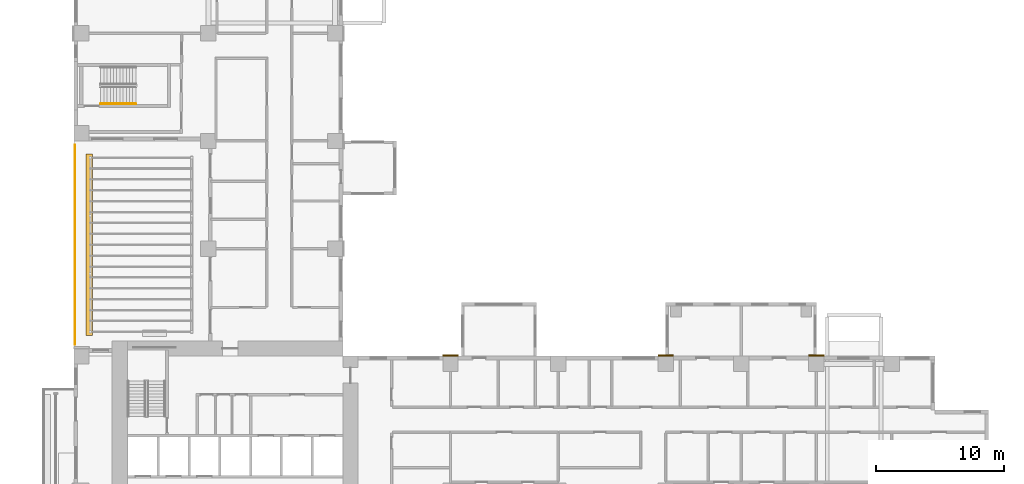
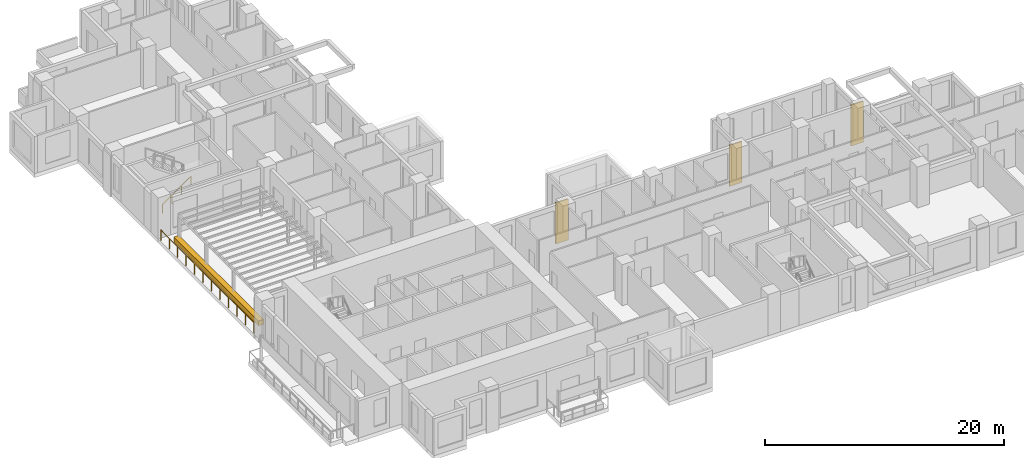
# One storey, part 15 of 17: 4 coverings, 2 railings.
"""IFC4 building model written with IfcOpenShell, lengths in metres."""

from ifc_helpers import new_model, si_unit, direction, frame, origin, origin_2d, place, context, subcontext, project, spatial, rectangle, circle, extrude, source, transform, mapped, material, type_object, element, save


model = new_model("IFC4")

# Units and contexts
model_context = context("Model", 3, precision=1e-05, world=origin(), true_north=direction((0.0, 1.0)))
body_context = subcontext(model_context, "Body", "Model", "MODEL_VIEW")
ifc_project = project(units=[si_unit("LENGTHUNIT", "METRE"), si_unit("AREAUNIT", "SQUARE_METRE"), si_unit("VOLUMEUNIT", "CUBIC_METRE"), si_unit("PLANEANGLEUNIT", "RADIAN"), si_unit("MASSUNIT", "GRAM", prefix="KILO")], contexts=[model_context])

# Site, building, storey
site_placement = place(None, origin())
site = spatial("IfcSite", under=ifc_project, at=site_placement, CompositionType="ELEMENT")
building_placement = place(site_placement, origin())
building = spatial("IfcBuilding", under=site, at=building_placement, Name="Aurelian Terraces", CompositionType="ELEMENT")
storey_placement = place(building_placement, frame((0.0, 0.0, 69.9)))
storey = spatial("IfcBuildingStorey", under=building, at=storey_placement, Name="L14", CompositionType="ELEMENT", Elevation=69.9)

# Railing
ifc_material_1 = material(Name="Anodised aluminium", Category="aluminium")
railing_type_1 = type_object("IfcRailingType", Name="GUARD-1100", PredefinedType="GUARDRAIL", material=ifc_material_1)
railing_1_placement = place(storey_placement, frame((0.09, 21.9, 0.0)))
element("IfcRailing", 1, at=railing_1_placement, inside=storey, type_object=railing_type_1, Name="Terrace guard L14 SKY-02-T1.1", PredefinedType="GUARDRAIL", context=body_context, shape_type="SweptSolid", body=[
    extrude(circle(Radius=0.024, at=origin_2d()), frame((0.0, 0.0, 1.076), z_axis=(0.0, 1.0, 0.0), x_axis=(-1.0, 0.0, 0.0)), (0.0, 0.0, 1.0), 15.6),
    extrude(circle(Radius=0.021, at=origin_2d()), origin(), (0.0, 0.0, 1.0), 1.052),
    extrude(circle(Radius=0.021, at=origin_2d()), frame((0.0, 1.4182, 0.0)), (0.0, 0.0, 1.0), 1.052),
    extrude(circle(Radius=0.021, at=origin_2d()), frame((0.0, 2.8364, 0.0)), (0.0, 0.0, 1.0), 1.052),
    extrude(circle(Radius=0.021, at=origin_2d()), frame((0.0, 4.2545, 0.0)), (0.0, 0.0, 1.0), 1.052),
    extrude(circle(Radius=0.021, at=origin_2d()), frame((0.0, 5.6727, 0.0)), (0.0, 0.0, 1.0), 1.052),
    extrude(circle(Radius=0.021, at=origin_2d()), frame((0.0, 7.0909, 0.0)), (0.0, 0.0, 1.0), 1.052),
    extrude(circle(Radius=0.021, at=origin_2d()), frame((0.0, 8.5091, 0.0)), (0.0, 0.0, 1.0), 1.052),
    extrude(circle(Radius=0.021, at=origin_2d()), frame((0.0, 9.9273, 0.0)), (0.0, 0.0, 1.0), 1.052),
    extrude(circle(Radius=0.021, at=origin_2d()), frame((0.0, 11.3455, 0.0)), (0.0, 0.0, 1.0), 1.052),
    extrude(circle(Radius=0.021, at=origin_2d()), frame((0.0, 12.7636, 0.0)), (0.0, 0.0, 1.0), 1.052),
    extrude(circle(Radius=0.021, at=origin_2d()), frame((0.0, 14.1818, 0.0)), (0.0, 0.0, 1.0), 1.052),
    extrude(circle(Radius=0.021, at=origin_2d()), frame((0.0, 15.6, 0.0)), (0.0, 0.0, 1.0), 1.052),
])

# Coverings
ifc_material_2 = material(Name="Terracotta planter with planting soil", Category="masonry")
covering_type_1 = type_object("IfcCoveringType", Name="PLANTER-TROUGH", PredefinedType="USERDEFINED", material=ifc_material_2)
covering_placement = place(storey_placement, frame((1.19, 29.7, 0.0), z_axis=(0.0, 0.0, 1.0), x_axis=(1.0, 0.0, 0.0)))
element("IfcCovering", 2, at=covering_placement, inside=storey, type_object=covering_type_1, Name="PLANTER L14 terrace SKY-02-T1-0.1", ObjectType="PLANTER", PredefinedType="USERDEFINED", context=body_context, shape_type="SweptSolid", body=[
    extrude(rectangle(XDim=0.5, YDim=14.2, at=origin_2d()), origin(), (0.0, 0.0, 1.0), 0.5),
])
ifc_material_3 = material(Name="Terracotta rainscreen cladding relief", Category="masonry")
covering_type_2 = type_object("IfcCoveringType", Name="BAGUETTE-TC", PredefinedType="CLADDING", material=ifc_material_3)
shared_shape_1 = source(origin(), body_context, "Body", "SweptSolid", [
    extrude(rectangle(XDim=1.2, YDim=0.12, at=origin_2d()), origin(), (0.0, 0.0, 1.0), 4.2),
])
for number, where, z_axis, x_axis, name in (
    (3, (29.4, 21.06, -0.4), (0.0, 0.0, 1.0), (1.0, 0.0, 0.0), "BAGUETTE pier L14 6"),
    (4, (46.2, 21.06, -0.4), (0.0, 0.0, 1.0), (1.0, 0.0, 0.0), "BAGUETTE pier L14 7"),
    (5, (57.96, 21.06, -0.4), (0.0, 0.0, 1.0), (1.0, 0.0, 0.0), "BAGUETTE pier L14 8"),
):
    element("IfcCovering", number, at=place(storey_placement, frame(where, z_axis=z_axis, x_axis=x_axis)), inside=storey, type_object=covering_type_2, Name=name, PredefinedType="CLADDING", context=body_context, shape_type="MappedRepresentation", body=[
        mapped(shared_shape_1, transform((0.0, 0.0, 0.0), scale=1.0)),
    ])

# Railing
ifc_material_4 = material(Name="Stainless steel", Category="steel")
railing_type_2 = type_object("IfcRailingType", Name="Stair handrail", PredefinedType="HANDRAIL", material=ifc_material_4)
shared_shape_2 = source(origin(), body_context, "Body", "SweptSolid", [
    extrude(circle(Radius=0.024, at=origin_2d()), frame((0.0, 0.0, 0.876), z_axis=(0.819231920519, 0.0, 0.573462344363), x_axis=(0.0, 1.0, 0.0)), (0.0, 0.0, 1.0), 3.3568),
    extrude(circle(Radius=0.021, at=origin_2d()), origin(), (0.0, 0.0, 1.0), 0.852),
    extrude(circle(Radius=0.021, at=origin_2d()), frame((0.9167, 0.0, 0.6417)), (0.0, 0.0, 1.0), 0.852),
    extrude(circle(Radius=0.021, at=origin_2d()), frame((1.8333, 0.0, 1.2833)), (0.0, 0.0, 1.0), 0.852),
    extrude(circle(Radius=0.021, at=origin_2d()), frame((2.75, 0.0, 1.925)), (0.0, 0.0, 1.0), 0.852),
])
railing_2_placement = place(storey_placement, frame((2.1, 40.7, 0.175)))
element("IfcRailing", 6, at=railing_2_placement, inside=storey, type_object=railing_type_2, Name="L14 S3 stair handrail 1", PredefinedType="HANDRAIL", context=body_context, shape_type="MappedRepresentation", body=[
    mapped(shared_shape_2, transform((0.0, 0.0, 0.0), scale=1.0)),
])

save(model, "model.ifc")
